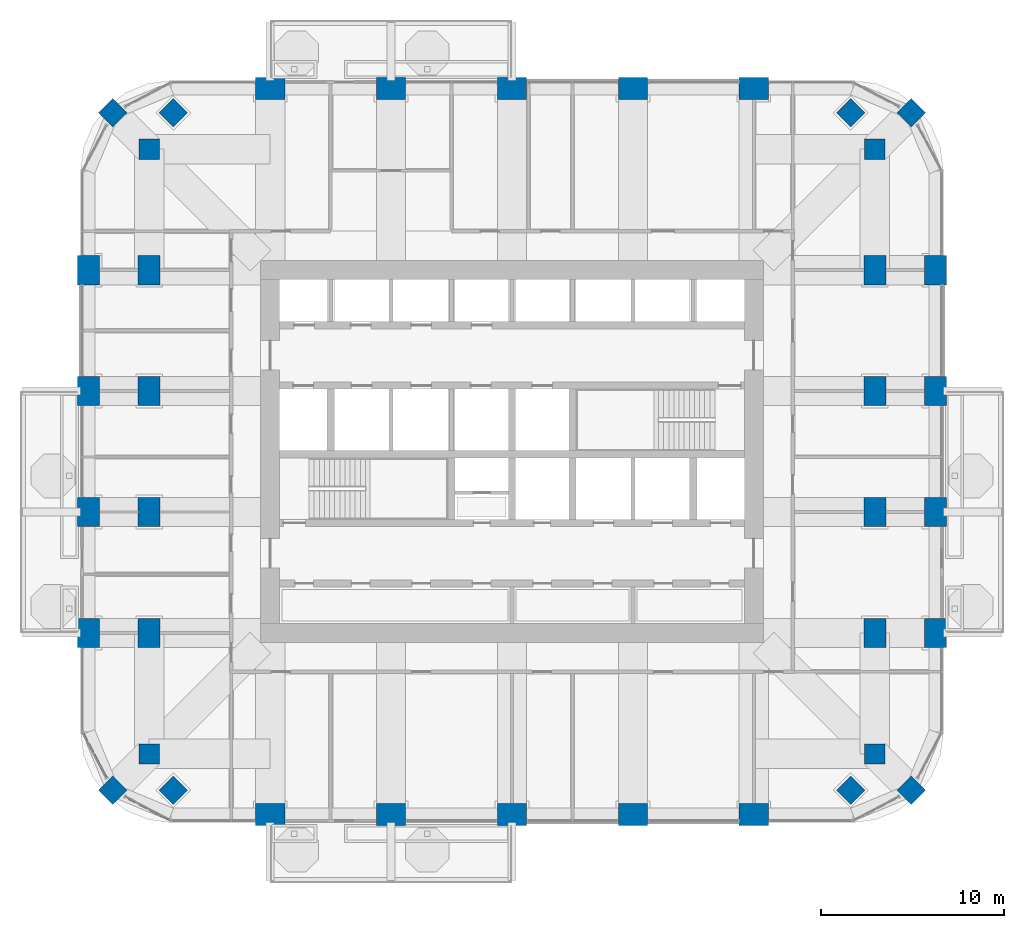
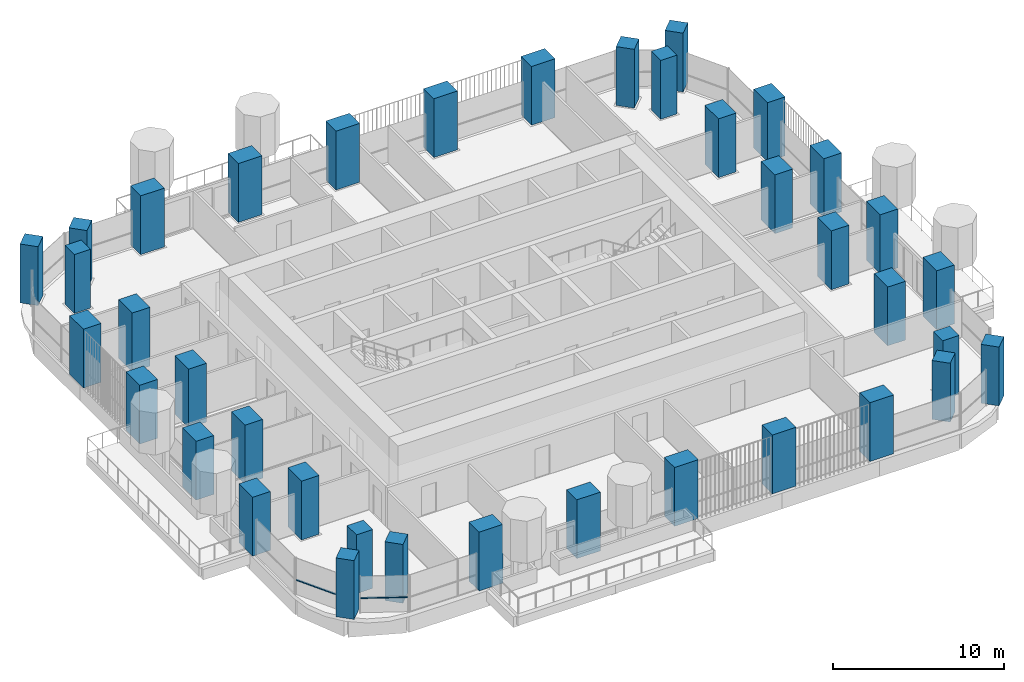
# One storey, part 1 of 20: 38 columns, 2 members, 2 elements without a shape of their own.
"""IFC4 building model written with IfcOpenShell, lengths in metres."""

from ifc_helpers import new_model, si_unit, direction, frame, origin, origin_2d, place, context, subcontext, project, spatial, rectangle, extrude, material, material_profile, profile_set, type_object, element, aggregate, save


model = new_model("IFC4")

# Units and contexts
model_context = context("Model", 3, precision=1e-05, world=origin(), true_north=direction((0.0, 1.0)))
body_context = subcontext(model_context, "Body", "Model", "MODEL_VIEW")
ifc_project = project(units=[si_unit("LENGTHUNIT", "METRE"), si_unit("AREAUNIT", "SQUARE_METRE"), si_unit("VOLUMEUNIT", "CUBIC_METRE"), si_unit("PLANEANGLEUNIT", "RADIAN"), si_unit("MASSUNIT", "GRAM", prefix="KILO")], contexts=[model_context])

# Site, building, storey
site_placement = place(None, origin())
site = spatial("IfcSite", under=ifc_project, at=site_placement, CompositionType="ELEMENT")
building_placement = place(site_placement, origin())
building = spatial("IfcBuilding", under=site, at=building_placement, Name="Cobogo Forest Laboratory Tower", CompositionType="ELEMENT")
storey_placement = place(building_placement, frame((0.0, 0.0, 210.300048828125)))
storey = spatial("IfcBuildingStorey", under=building, at=storey_placement, Name="L48", CompositionType="ELEMENT", Elevation=210.300048828125)

# Columns
ifc_material_1 = material(Name="Concrete HA-50 (C50/60)", Category="concrete")
ifc_material_profile_1 = material_profile(ifc_material_1, rectangle(XDim=1.60009765625, YDim=1.199951171875, at=origin_2d()), Name="RC 1200x1600")
ifc_profile_set_1 = profile_set([ifc_material_profile_1], Name="Concrete HA-50 (C50/60)")
column_type_1 = type_object("IfcColumnType", Name="Blade column 1200x1600", PredefinedType="COLUMN", material=ifc_profile_set_1)
for number, where, z_axis, x_axis, name in (
    (1, (13.199951171875, 3.300048828125, 0.0), (0.0, 0.0, 1.0), (1.0, 0.0, 0.0), "Column 3-A.1 L48"),
    (2, (19.800048828125, 3.300048828125, 0.0), (0.0, 0.0, 1.0), (1.0, 0.0, 0.0), "Column 4-A.1 L48"),
    (3, (26.39990234375, 3.300048828125, 0.0), (0.0, 0.0, 1.0), (1.0, 0.0, 0.0), "Column 5-A.1 L48"),
    (4, (33.0, 3.300048828125, 0.0), (0.0, 0.0, 1.0), (1.0, 0.0, 0.0), "Column 6-A.1 L48"),
    (5, (39.60009765625, 3.300048828125, 0.0), (0.0, 0.0, 1.0), (1.0, 0.0, 0.0), "Column 7-A.1 L48"),
    (6, (3.300048828125, 13.199951171875, 0.0), (0.0, 0.0, 1.0), (0.0, 1.0, 0.0), "Column 1.1-C L48"),
    (7, (49.5, 13.199951171875, 0.0), (0.0, 0.0, 1.0), (0.0, 1.0, 0.0), "Column 8.1-C L48"),
    (8, (3.300048828125, 19.800048828125, 0.0), (0.0, 0.0, 1.0), (0.0, 1.0, 0.0), "Column 1.1-D L48"),
    (9, (49.5, 19.800048828125, 0.0), (0.0, 0.0, 1.0), (0.0, 1.0, 0.0), "Column 8.1-D L48"),
    (10, (3.300048828125, 26.39990234375, 0.0), (0.0, 0.0, 1.0), (0.0, 1.0, 0.0), "Column 1.1-E L48"),
    (11, (49.5, 26.39990234375, 0.0), (0.0, 0.0, 1.0), (0.0, 1.0, 0.0), "Column 8.1-E L48"),
    (12, (3.300048828125, 33.0, 0.0), (0.0, 0.0, 1.0), (0.0, 1.0, 0.0), "Column 1.1-F L48"),
    (13, (49.5, 33.0, 0.0), (0.0, 0.0, 1.0), (0.0, 1.0, 0.0), "Column 8.1-F L48"),
    (14, (13.199951171875, 42.89990234375, 0.0), (0.0, 0.0, 1.0), (1.0, 0.0, 0.0), "Column 3-G.1 L48"),
    (15, (19.800048828125, 42.89990234375, 0.0), (0.0, 0.0, 1.0), (1.0, 0.0, 0.0), "Column 4-G.1 L48"),
    (16, (26.39990234375, 42.89990234375, 0.0), (0.0, 0.0, 1.0), (1.0, 0.0, 0.0), "Column 5-G.1 L48"),
    (17, (33.0, 42.89990234375, 0.0), (0.0, 0.0, 1.0), (1.0, 0.0, 0.0), "Column 6-G.1 L48"),
    (18, (39.60009765625, 42.89990234375, 0.0), (0.0, 0.0, 1.0), (1.0, 0.0, 0.0), "Column 7-G.1 L48"),
    (19, (6.60009765625, 13.199951171875, 0.0), (0.0, 0.0, 1.0), (0.0, 1.0, 0.0), "Column 2-C-D L48"),
    (20, (46.199951171875, 13.199951171875, 0.0), (0.0, 0.0, 1.0), (0.0, 1.0, 0.0), "Column 8-C-D L48"),
    (21, (6.60009765625, 19.800048828125, 0.0), (0.0, 0.0, 1.0), (0.0, 1.0, 0.0), "Column 2-D-D L48"),
    (22, (46.199951171875, 19.800048828125, 0.0), (0.0, 0.0, 1.0), (0.0, 1.0, 0.0), "Column 8-D-D L48"),
    (23, (6.60009765625, 26.39990234375, 0.0), (0.0, 0.0, 1.0), (0.0, 1.0, 0.0), "Column 2-E-D L48"),
    (24, (46.199951171875, 26.39990234375, 0.0), (0.0, 0.0, 1.0), (0.0, 1.0, 0.0), "Column 8-E-D L48"),
    (25, (6.60009765625, 33.0, 0.0), (0.0, 0.0, 1.0), (0.0, 1.0, 0.0), "Column 2-F-D L48"),
    (26, (46.199951171875, 33.0, 0.0), (0.0, 0.0, 1.0), (0.0, 1.0, 0.0), "Column 8-F-D L48"),
):
    element("IfcColumn", number, at=place(storey_placement, frame(where, z_axis=z_axis, x_axis=x_axis)), inside=storey, type_object=column_type_1, Name=name, PredefinedType="COLUMN", context=body_context, shape_type="SweptSolid", body=[
        extrude(rectangle(XDim=1.60009765625, YDim=1.199951171875, at=origin_2d()), origin(), (0.0, 0.0, 1.0), 4.199951171875),
    ])
ifc_material_profile_2 = material_profile(ifc_material_1, rectangle(XDim=1.10009765625, YDim=1.10009765625, at=origin_2d()), Name="RC 1100x1100")
ifc_profile_set_2 = profile_set([ifc_material_profile_2], Name="Concrete HA-50 (C50/60)")
column_type_2 = type_object("IfcColumnType", Name="Column 1100x1100", PredefinedType="COLUMN", material=ifc_profile_set_2)
for number, where, z_axis, x_axis, name in (
    (27, (4.617919921875, 4.617919921875, 0.0), (0.0, 0.0, 1.0), (0.707106781187, 0.707106781187, 0.0), "Column CNR-SW L48"),
    (28, (48.181884765625, 4.617919921875, 0.0), (0.0, 0.0, 1.0), (0.707106781187, 0.707106781187, 0.0), "Column CNR-SE L48"),
    (29, (4.617919921875, 41.58203125, 0.0), (0.0, 0.0, 1.0), (0.707106781187, 0.707106781187, 0.0), "Column CNR-NW L48"),
    (30, (48.181884765625, 41.58203125, 0.0), (0.0, 0.0, 1.0), (0.707106781187, 0.707106781187, 0.0), "Column CNR-NE L48"),
    (31, (6.60009765625, 6.60009765625, 0.0), (0.0, 0.0, 1.0), (1.0, 0.0, 0.0), "Column 2-B L48"),
    (32, (46.199951171875, 6.60009765625, 0.0), (0.0, 0.0, 1.0), (1.0, 0.0, 0.0), "Column 8-B L48"),
    (33, (6.60009765625, 39.60009765625, 0.0), (0.0, 0.0, 1.0), (1.0, 0.0, 0.0), "Column 2-G L48"),
    (34, (46.199951171875, 39.60009765625, 0.0), (0.0, 0.0, 1.0), (1.0, 0.0, 0.0), "Column 8-G L48"),
    (35, (7.91796875, 4.617919921875, 0.0), (0.0, 0.0, 1.0), (0.707106781187, 0.707106781187, 0.0), "Column CNR-SW-D L48"),
    (36, (44.882080078125, 4.617919921875, 0.0), (0.0, 0.0, 1.0), (0.707106781187, 0.707106781187, 0.0), "Column CNR-SE-D L48"),
    (37, (7.91796875, 41.58203125, 0.0), (0.0, 0.0, 1.0), (0.707106781187, 0.707106781187, 0.0), "Column CNR-NW-D L48"),
    (38, (44.882080078125, 41.58203125, 0.0), (0.0, 0.0, 1.0), (0.707106781187, 0.707106781187, 0.0), "Column CNR-NE-D L48"),
):
    element("IfcColumn", number, at=place(storey_placement, frame(where, z_axis=z_axis, x_axis=x_axis)), inside=storey, type_object=column_type_2, Name=name, PredefinedType="COLUMN", context=body_context, shape_type="SweptSolid", body=[
        extrude(rectangle(XDim=1.10009765625, YDim=1.10009765625, at=origin_2d()), origin(), (0.0, 0.0, 1.0), 4.199951171875),
    ])

# Curtain wall, member
ifc_material_2 = material(Name="Aluminium curtain wall", Category="aluminium")
curtain_wall_type = type_object("IfcCurtainWallType", Name="CW-2 unitised curtain wall, solar control glazing, laboratory floors zones C and D", PredefinedType="USERDEFINED", material=ifc_material_2)
curtain_wall_1_placement = place(storey_placement, origin())
curtain_wall_1 = element("IfcCurtainWall", 39, at=curtain_wall_1_placement, inside=storey, type_object=curtain_wall_type, Name="Curtain wall 29 L48", ObjectType="UNITISED CURTAIN WALL", PredefinedType="USERDEFINED")
ifc_material_3 = material(Name="Aluminium transom", Category="aluminium")
ifc_material_profile_3 = material_profile(ifc_material_3, rectangle(XDim=0.1201171875, YDim=0.06005859375, at=origin_2d()), Name="AL 60x120")
ifc_profile_set_3 = profile_set([ifc_material_profile_3], Name="Aluminium transom")
member_type = type_object("IfcMemberType", Name="TR-1 aluminium transom 60x120", PredefinedType="USERDEFINED", material=ifc_profile_set_3)
member_1_placement = place(storey_placement, frame((2.977783203125, 7.746826171875, 1.050048828125), z_axis=(0.464324225592, -0.885665294301, 0.0), x_axis=(0.885665294301, 0.464324225592, 0.0)))
member_1 = element("IfcMember", 40, at=member_1_placement, type_object=member_type, Name="CW-2 transom 1.1", ObjectType="TRANSOM", PredefinedType="USERDEFINED", context=body_context, shape_type="SweptSolid", body=[
    extrude(rectangle(XDim=0.1201171875, YDim=0.06005859375, at=origin_2d()), origin(), (0.0, 0.0, 1.0), 2.760498046875),
])
aggregate(curtain_wall_1, [member_1])

curtain_wall_2_placement = place(storey_placement, origin())
curtain_wall_2 = element("IfcCurtainWall", 41, at=curtain_wall_2_placement, inside=storey, type_object=curtain_wall_type, Name="Curtain wall 30 L48", ObjectType="UNITISED CURTAIN WALL", PredefinedType="USERDEFINED")
member_2_placement = place(storey_placement, frame((5.302001953125, 4.259521484375, 1.050048828125), z_axis=(0.885665294301, -0.464324225592, 0.0), x_axis=(0.464324225592, 0.885665294301, 0.0)))
member_2 = element("IfcMember", 42, at=member_2_placement, type_object=member_type, Name="CW-2 transom 1.1", ObjectType="TRANSOM", PredefinedType="USERDEFINED", context=body_context, shape_type="SweptSolid", body=[
    extrude(rectangle(XDim=0.1201171875, YDim=0.06005859375, at=origin_2d()), origin(), (0.0, 0.0, 1.0), 2.760498046875),
])
aggregate(curtain_wall_2, [member_2])

save(model, "model.ifc")
